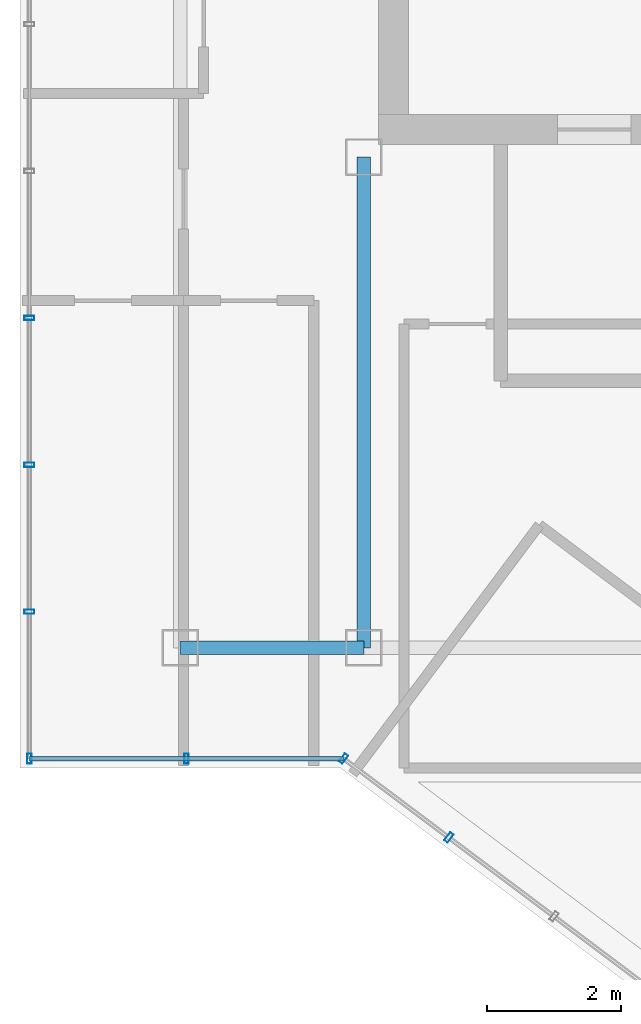
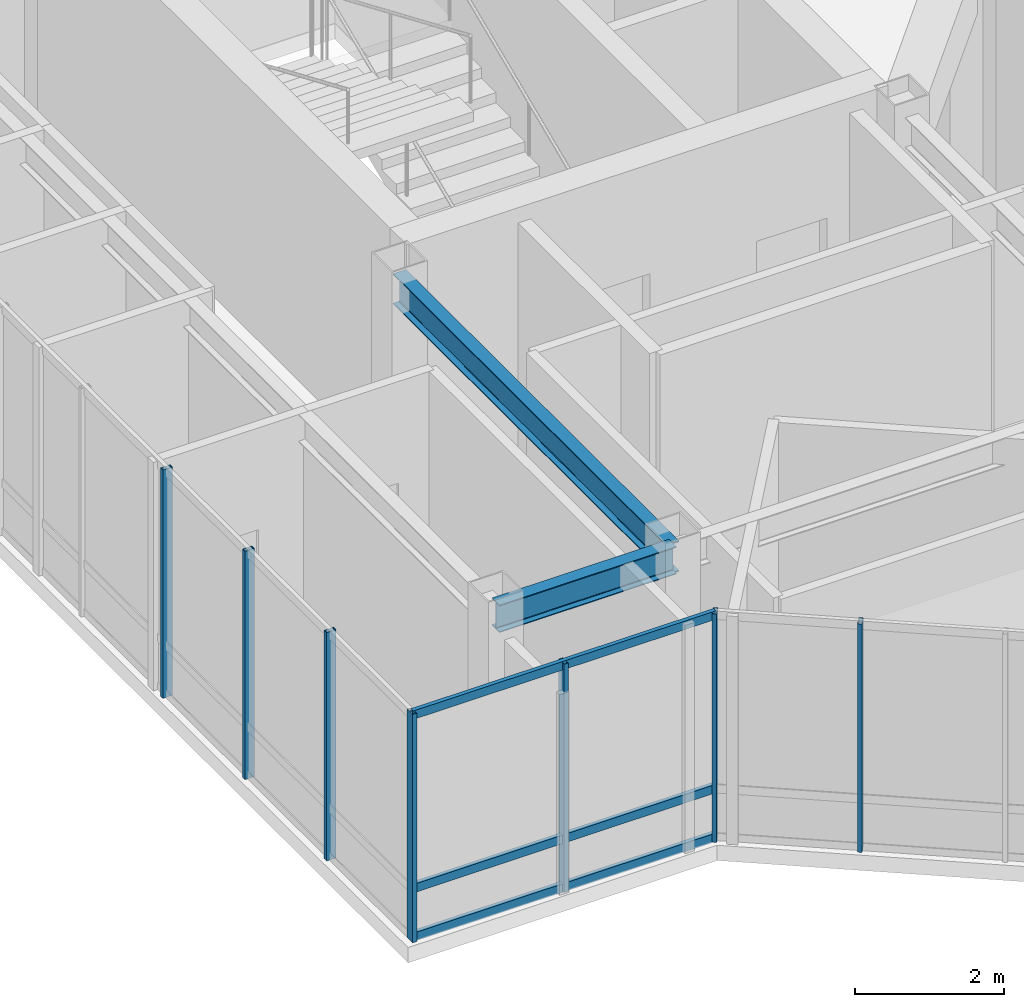
# One storey, part 3 of 23: 10 members, 2 beams, 3 elements without a shape of their own.
"""IFC4 building model written with IfcOpenShell, lengths in metres."""

import ifcopenshell
import ifcopenshell.guid

model = None  # the IFC model being written
_history = None  # IfcOwnerHistory: only IFC2X3 demands one
_inside = {}  # id of a spatial element -> (the spatial element, [elements in it])
_under = {}  # id of a project, library or spatial element -> (it, [spatial elements below it])
_declared = {}  # id of a project -> (the project, [libraries it declares])
_typed = {}  # id of a type object -> (the type object, [elements of that type])
_made_of = {}  # id of a material, layer set ... -> (it, [elements and type objects made of it])


def new_model(schema):
    """Start an empty IFC model of exactly this schema.

    Asked for "IFC4X3", IfcOpenShell would pick the latest addendum, in which some entities
    have other attributes; the version numbers below select the first issue.
    IFC2X3 requires an IfcOwnerHistory on every rooted entity: one is made here for all.
    """
    global model, _history
    if schema == "IFC4X3":
        model = ifcopenshell.file(schema_version=(4, 3, 0, 0))
    else:
        model = ifcopenshell.file(schema=schema)
    _inside.clear()
    _under.clear()
    _declared.clear()
    _typed.clear()
    _made_of.clear()
    _history = None
    if model.schema == "IFC2X3":
        org = make("IfcOrganization", Name="unknown")
        user = make(
            "IfcPersonAndOrganization",
            ThePerson=make("IfcPerson", FamilyName="unknown"),
            TheOrganization=org,
        )
        app = make(
            "IfcApplication",
            ApplicationDeveloper=org,
            Version="unknown",
            ApplicationFullName="unknown",
            ApplicationIdentifier="unknown",
        )
        _history = make(
            "IfcOwnerHistory",
            OwningUser=user,
            OwningApplication=app,
            ChangeAction="ADDED",
            CreationDate=0,
        )
    return model


def make(cls, **values):
    """One entity of the class cls with the attributes given. An attribute that is None is left unset."""
    return model.create_entity(
        cls, **{name: value for name, value in values.items() if value is not None}
    )


def rooted(cls, **values):
    """An entity with a GlobalId (a new one), such as an element, a storey or a relation."""
    return make(cls, GlobalId=ifcopenshell.guid.new(), OwnerHistory=_history, **values)


def si_unit(unit_type, name, prefix=None):
    """IfcSIUnit, for example si_unit("LENGTHUNIT", "METRE", prefix="MILLI")."""
    return make("IfcSIUnit", UnitType=unit_type, Prefix=prefix, Name=name)


def assignment(units):
    """IfcUnitAssignment: the units of a project."""
    return None if units is None else make("IfcUnitAssignment", Units=units)


def point(xyz):
    """IfcCartesianPoint."""
    return None if xyz is None else make("IfcCartesianPoint", Coordinates=xyz)


def direction(xyz):
    """IfcDirection."""
    return None if xyz is None else make("IfcDirection", DirectionRatios=xyz)


def frame(location, z_axis=None, x_axis=None):
    """IfcAxis2Placement3D, a coordinate frame: its origin and axes. An axis left out is left unset."""
    return make(
        "IfcAxis2Placement3D",
        Location=point(location),
        Axis=direction(z_axis),
        RefDirection=direction(x_axis),
    )


def frame_2d(location, x_axis=None):
    """IfcAxis2Placement2D, a coordinate frame in the plane: its origin and x axis."""
    return make(
        "IfcAxis2Placement2D", Location=point(location), RefDirection=direction(x_axis)
    )


def origin():
    """The frame at (0, 0, 0) with its axes left unset."""
    return frame((0.0, 0.0, 0.0))


def origin_2d():
    """The frame at (0, 0) in the plane with its x axis left unset."""
    return frame_2d((0.0, 0.0))


def place(relative_to, where):
    """IfcLocalPlacement: puts the frame where relative to a parent placement (None: the world)."""
    return make(
        "IfcLocalPlacement", PlacementRelTo=relative_to, RelativePlacement=where
    )


def context(
    kind, dimensions, precision=None, world=None, true_north=None, identifier=None
):
    """IfcGeometricRepresentationContext, for example the 3D "Model" context."""
    return make(
        "IfcGeometricRepresentationContext",
        ContextIdentifier=identifier,
        ContextType=kind,
        CoordinateSpaceDimension=dimensions,
        Precision=precision,
        WorldCoordinateSystem=world,
        TrueNorth=true_north,
    )


def subcontext(parent, identifier, kind, view, scale=None):
    """IfcGeometricRepresentationSubContext, for example "Body" below "Model"."""
    return make(
        "IfcGeometricRepresentationSubContext",
        ContextIdentifier=identifier,
        ContextType=kind,
        ParentContext=parent,
        TargetScale=scale,
        TargetView=view,
    )


def project(units=None, contexts=None):
    """IfcProject with its units and contexts."""
    return rooted(
        "IfcProject",
        Name="project",
        RepresentationContexts=contexts,
        UnitsInContext=assignment(units),
    )


def spatial(cls, under=None, at=None, **own):
    """A site, building, storey or space (cls), placed at a placement, below another one or the project."""
    s = rooted(cls, ObjectPlacement=at, **own)
    if under is not None:
        _under.setdefault(under.id(), (under, []))[1].append(s)
    return s


def profile(cls, at=None, kind="AREA", **sizes):
    """A parametric profile (cls). Its sizes go by their IFC names, for example OverallWidth=200.0."""
    return make(cls, ProfileType=kind, Position=at, **sizes)


def hollow_rectangle(**sizes):
    """IfcRectangleHollowProfileDef."""
    return profile("IfcRectangleHollowProfileDef", **sizes)


def i_section(**sizes):
    """IfcIShapeProfileDef."""
    return profile("IfcIShapeProfileDef", **sizes)


def extrude(swept, where, along, depth):
    """IfcExtrudedAreaSolid: the profile swept, set in the frame where, extruded along a direction by depth."""
    return make(
        "IfcExtrudedAreaSolid",
        SweptArea=swept,
        Position=where,
        ExtrudedDirection=direction(along),
        Depth=depth,
    )


def shape(context_of_items, identifier, shape_type, items):
    """IfcShapeRepresentation: the items that make up one representation, for example the "Body"."""
    return make(
        "IfcShapeRepresentation",
        ContextOfItems=context_of_items,
        RepresentationIdentifier=identifier,
        RepresentationType=shape_type,
        Items=items,
    )


def material(Name=None, Category=None):
    """IfcMaterial."""
    return make("IfcMaterial", Name=Name, Category=Category)


def layer(
    of_material, thickness, ventilated=None, Name=None, Category=None, Priority=None
):
    """IfcMaterialLayer: one layer of a wall or slab, of a material (None: an air gap)."""
    return make(
        "IfcMaterialLayer",
        Material=of_material,
        LayerThickness=thickness,
        IsVentilated=ventilated,
        Name=Name,
        Category=Category,
        Priority=Priority,
    )


def layer_set(layers, Name=None):
    """IfcMaterialLayerSet."""
    return make("IfcMaterialLayerSet", MaterialLayers=layers, LayerSetName=Name)


def material_profile(
    of_material, cross_section, Name=None, Category=None, Priority=None
):
    """IfcMaterialProfile: a cross section and its material."""
    return make(
        "IfcMaterialProfile",
        Name=Name,
        Material=of_material,
        Profile=cross_section,
        Priority=Priority,
        Category=Category,
    )


def profile_set(profiles, Name=None, composite=None):
    """IfcMaterialProfileSet."""
    return make(
        "IfcMaterialProfileSet",
        Name=Name,
        MaterialProfiles=profiles,
        CompositeProfile=composite,
    )


def made_of(thing, what):
    """Note that an element or type object is made of a material, layer set ...; save() writes the relation."""
    if what is not None:
        _made_of.setdefault(what.id(), (what, []))[1].append(thing)
    return thing


def type_object(cls, material=None, **own):
    """A type object (cls), such as IfcWallType, which elements share."""
    return made_of(rooted(cls, **own), material)


def element(
    cls,
    number,
    at=None,
    inside=None,
    cuts=None,
    type_object=None,
    material=None,
    context=None,
    identifier="Body",
    shape_type=None,
    held_by="IfcProductDefinitionShape",
    body=None,
    shapes=None,
    **own,
):
    """One element of the class cls, such as IfcWall. Its Tag is "e" and its number.

    at: its placement. inside: the storey or other place that contains it. cuts: it is an
    opening in that element (IfcRelVoidsElement). A single representation is given by context,
    identifier, shape_type and body (its items); several are given by shapes. held_by: the class
    of the entity that holds the representations. save() writes the other relations.
    """
    e = rooted(cls, Tag="e%d" % number, ObjectPlacement=at, **own)
    if body is not None:
        shapes = [shape(context, identifier, shape_type, body)]
    if shapes is not None:
        e.Representation = make(held_by, Representations=shapes)
    if inside is not None:
        _inside.setdefault(inside.id(), (inside, []))[1].append(e)
    if cuts is not None:
        rooted(
            "IfcRelVoidsElement", RelatingBuildingElement=cuts, RelatedOpeningElement=e
        )
    if type_object is not None:
        _typed.setdefault(type_object.id(), (type_object, []))[1].append(e)
    return made_of(e, material)


def aggregate(whole, parts):
    """IfcRelAggregates: a whole, such as a stair, and the parts it consists of."""
    return rooted("IfcRelAggregates", RelatingObject=whole, RelatedObjects=parts)


def save(model, path):
    """Write the relations noted so far, then the file.

    IfcRelAggregates (storeys below a building ...), IfcRelContainedInSpatialStructure (elements
    in a storey), IfcRelDefinesByType, IfcRelAssociatesMaterial and IfcRelDeclares: one each for
    every whole, place, type object, material and project.
    """
    for whole, parts in _under.values():
        aggregate(whole, parts)
    for where, things in _inside.values():
        rooted(
            "IfcRelContainedInSpatialStructure",
            RelatedElements=things,
            RelatingStructure=where,
        )
    for kind, things in _typed.values():
        rooted("IfcRelDefinesByType", RelatedObjects=things, RelatingType=kind)
    for what, things in _made_of.values():
        rooted("IfcRelAssociatesMaterial", RelatedObjects=things, RelatingMaterial=what)
    for by, libraries in _declared.values():
        rooted("IfcRelDeclares", RelatingContext=by, RelatedDefinitions=libraries)
    model.write(path)


model = new_model("IFC4")

# Units and contexts
model_context = context("Model", 3, precision=1e-05, world=origin(), true_north=direction((0.0, 1.0)))
body_context = subcontext(model_context, "Body", "Model", "MODEL_VIEW")
ifc_project = project(units=[si_unit("LENGTHUNIT", "METRE"), si_unit("AREAUNIT", "SQUARE_METRE"), si_unit("VOLUMEUNIT", "CUBIC_METRE"), si_unit("PLANEANGLEUNIT", "RADIAN"), si_unit("MASSUNIT", "GRAM", prefix="KILO")], contexts=[model_context])

# Site, building, storey
site_placement = place(None, origin())
site = spatial("IfcSite", under=ifc_project, at=site_placement, CompositionType="ELEMENT")
building_placement = place(site_placement, origin())
building = spatial("IfcBuilding", under=site, at=building_placement, Name="Hatsunagi Terrace Concourse", CompositionType="ELEMENT")
storey_placement = place(building_placement, frame((0.0, 0.0, 281.949951171875)))
storey = spatial("IfcBuildingStorey", under=building, at=storey_placement, Name="L74", CompositionType="ELEMENT", Elevation=281.949951171875)

# Beam
ifc_material_1 = material(Name="Steel SN490B", Category="steel")
ifc_material_profile_1 = material_profile(ifc_material_1, i_section(OverallWidth=0.199951171875, OverallDepth=0.5, WebThickness=0.010009765625, FlangeThickness=0.01611328125, FilletRadius=0.01611328125, at=origin_2d()), Name="H-500x200x10x16")
ifc_profile_set_1 = profile_set([ifc_material_profile_1], Name="Steel SN490B")
beam_type_1 = type_object("IfcBeamType", Name="CrownFloorGirder_H_500x200", PredefinedType="BEAM", material=ifc_profile_set_1)
beam_1_placement = place(storey_placement, frame((25.550048828125, 25.199951171875, 3.5), z_axis=(0.0, 1.0, 0.0), x_axis=(-1.0, 0.0, 0.0)))
element("IfcBeam", 1, at=beam_1_placement, inside=storey, type_object=beam_type_1, Name="Beam G-07 BM-L74-K1CA", PredefinedType="BEAM", context=body_context, shape_type="SweptSolid", body=[
    extrude(i_section(OverallWidth=0.199951171875, OverallDepth=0.5, WebThickness=0.010009765625, FlangeThickness=0.01611328125, FilletRadius=0.01611328125, at=origin_2d()), origin(), (0.0, 0.0, 1.0), 7.35009765625),
])

# Curtain wall, members
ifc_material_2 = material(Name="Anodised Aluminium Alloy 6063-T5", Category="aluminium")
ifc_layer = layer(ifc_material_2, 0.199951171875)
ifc_layer_set = layer_set([ifc_layer], Name="CrownWintergarden_CW06")
curtain_wall_type = type_object("IfcCurtainWallType", Name="CrownWintergarden_CW06", PredefinedType="NOTDEFINED", material=ifc_layer_set)
curtain_wall_1_placement = place(storey_placement, origin())
curtain_wall_1 = element("IfcCurtainWall", 2, at=curtain_wall_1_placement, inside=storey, type_object=curtain_wall_type, Name="Unitised Curtain Wall CW-06 CW-L74-05", PredefinedType="NOTDEFINED")
ifc_material_3 = material(Name="Anodised Aluminium Alloy 6063-T5", Category="aluminium")
ifc_material_profile_2 = material_profile(ifc_material_3, hollow_rectangle(XDim=0.06494140625, YDim=0.14990234375, WallThickness=0.00390625, at=origin_2d()), Name="ALU-MUL-150x65x4")
ifc_profile_set_2 = profile_set([ifc_material_profile_2], Name="Anodised Aluminium Alloy 6063-T5")
member_type_1 = type_object("IfcMemberType", Name="CurtainWallMullion_Crown_150x65", PredefinedType="MULLION", material=ifc_profile_set_2)
member_1_placement = place(storey_placement, frame((26.822998046875, 22.35791015625, 0.0), z_axis=(0.0, 0.0, 1.0), x_axis=(-0.80000835285, 0.599988862705, 0.0)))
member_1 = element("IfcMember", 3, at=member_1_placement, type_object=member_type_1, Name="Curtain Wall Mullion MUL-03", PredefinedType="MULLION", context=body_context, shape_type="SweptSolid", body=[
    extrude(hollow_rectangle(XDim=0.06494140625, YDim=0.14990234375, WallThickness=0.00390625, at=origin_2d()), origin(), (0.0, 0.0, 1.0), 3.75),
])
member_2_placement = place(storey_placement, frame((25.2470703125, 23.5400390625, 0.0), z_axis=(0.0, 0.0, 1.0), x_axis=(-0.80000835285, 0.599988862705, 0.0)))
member_2 = element("IfcMember", 4, at=member_2_placement, type_object=member_type_1, Name="Curtain Wall Mullion MUL-03", PredefinedType="MULLION", context=body_context, shape_type="SweptSolid", body=[
    extrude(hollow_rectangle(XDim=0.06494140625, YDim=0.14990234375, WallThickness=0.00390625, at=origin_2d()), origin(), (0.0, 0.0, 1.0), 3.75),
])
aggregate(curtain_wall_1, [member_1, member_2])

curtain_wall_2_placement = place(storey_placement, origin())
curtain_wall_2 = element("IfcCurtainWall", 5, at=curtain_wall_2_placement, inside=storey, type_object=curtain_wall_type, Name="Unitised Curtain Wall CW-06 CW-L74-06", PredefinedType="NOTDEFINED")
member_3_placement = place(storey_placement, frame((22.89306640625, 23.5400390625, 0.0), z_axis=(0.0, 0.0, 1.0), x_axis=(-1.0, 0.0, 0.0)))
member_3 = element("IfcMember", 6, at=member_3_placement, type_object=member_type_1, Name="Curtain Wall Mullion MUL-03", PredefinedType="MULLION", context=body_context, shape_type="SweptSolid", body=[
    extrude(hollow_rectangle(XDim=0.06494140625, YDim=0.14990234375, WallThickness=0.00390625, at=origin_2d()), origin(), (0.0, 0.0, 1.0), 3.75),
])
member_4_placement = place(storey_placement, frame((20.5400390625, 23.5400390625, 0.0), z_axis=(0.0, 0.0, 1.0), x_axis=(-1.0, 0.0, 0.0)))
member_4 = element("IfcMember", 7, at=member_4_placement, type_object=member_type_1, Name="Curtain Wall Mullion MUL-03", PredefinedType="MULLION", context=body_context, shape_type="SweptSolid", body=[
    extrude(hollow_rectangle(XDim=0.06494140625, YDim=0.14990234375, WallThickness=0.00390625, at=origin_2d()), origin(), (0.0, 0.0, 1.0), 3.75),
])

curtain_wall_3_placement = place(storey_placement, origin())
curtain_wall_3 = element("IfcCurtainWall", 8, at=curtain_wall_3_placement, inside=storey, type_object=curtain_wall_type, Name="Unitised Curtain Wall CW-06 CW-L74-07", PredefinedType="NOTDEFINED")
member_5_placement = place(storey_placement, frame((20.5400390625, 25.739990234375, 0.0), z_axis=(0.0, 0.0, 1.0), x_axis=(0.0, 1.0, 0.0)))
member_5 = element("IfcMember", 9, at=member_5_placement, type_object=member_type_1, Name="Curtain Wall Mullion MUL-03", PredefinedType="MULLION", context=body_context, shape_type="SweptSolid", body=[
    extrude(hollow_rectangle(XDim=0.06494140625, YDim=0.14990234375, WallThickness=0.00390625, at=origin_2d()), origin(), (0.0, 0.0, 1.0), 3.75),
])
member_6_placement = place(storey_placement, frame((20.5400390625, 27.93994140625, 0.0), z_axis=(0.0, 0.0, 1.0), x_axis=(0.0, 1.0, 0.0)))
member_6 = element("IfcMember", 10, at=member_6_placement, type_object=member_type_1, Name="Curtain Wall Mullion MUL-03", PredefinedType="MULLION", context=body_context, shape_type="SweptSolid", body=[
    extrude(hollow_rectangle(XDim=0.06494140625, YDim=0.14990234375, WallThickness=0.00390625, at=origin_2d()), origin(), (0.0, 0.0, 1.0), 3.75),
])
member_7_placement = place(storey_placement, frame((20.5400390625, 30.14111328125, 0.0), z_axis=(0.0, 0.0, 1.0), x_axis=(0.0, 1.0, 0.0)))
member_7 = element("IfcMember", 11, at=member_7_placement, type_object=member_type_1, Name="Curtain Wall Mullion MUL-03", PredefinedType="MULLION", context=body_context, shape_type="SweptSolid", body=[
    extrude(hollow_rectangle(XDim=0.06494140625, YDim=0.14990234375, WallThickness=0.00390625, at=origin_2d()), origin(), (0.0, 0.0, 1.0), 3.75),
])
aggregate(curtain_wall_3, [member_5, member_6, member_7])

# Member
ifc_material_4 = material(Name="Anodised Aluminium Alloy 6063-T5", Category="aluminium")
ifc_material_profile_3 = material_profile(ifc_material_4, hollow_rectangle(XDim=0.06494140625, YDim=0.139892578125, WallThickness=0.00390625, at=origin_2d()), Name="ALU-TRN-140x65x4")
ifc_profile_set_3 = profile_set([ifc_material_profile_3], Name="Anodised Aluminium Alloy 6063-T5")
member_type_2 = type_object("IfcMemberType", Name="CurtainWallTransom_140x65", PredefinedType="USERDEFINED", material=ifc_profile_set_3)
member_8_placement = place(storey_placement, frame((25.2470703125, 23.5400390625, 0.050048828125), z_axis=(-1.0, 0.0, 0.0), x_axis=(0.0, -1.0, 0.0)))
member_8 = element("IfcMember", 12, at=member_8_placement, type_object=member_type_2, Name="Curtain Wall Transom TRN-02", ObjectType="TRANSOM", PredefinedType="USERDEFINED", context=body_context, shape_type="SweptSolid", body=[
    extrude(hollow_rectangle(XDim=0.06494140625, YDim=0.139892578125, WallThickness=0.00390625, at=origin_2d()), origin(), (0.0, 0.0, 1.0), 4.70703125),
])

member_9_placement = place(storey_placement, frame((25.2470703125, 23.5400390625, 0.85009765625), z_axis=(-1.0, 0.0, 0.0), x_axis=(0.0, -1.0, 0.0)))
member_9 = element("IfcMember", 13, at=member_9_placement, type_object=member_type_2, Name="Curtain Wall Transom TRN-02", ObjectType="TRANSOM", PredefinedType="USERDEFINED", context=body_context, shape_type="SweptSolid", body=[
    extrude(hollow_rectangle(XDim=0.06494140625, YDim=0.139892578125, WallThickness=0.00390625, at=origin_2d()), origin(), (0.0, 0.0, 1.0), 4.70703125),
])

member_10_placement = place(storey_placement, frame((25.2470703125, 23.5400390625, 3.699951171875), z_axis=(-1.0, 0.0, 0.0), x_axis=(0.0, -1.0, 0.0)))
member_10 = element("IfcMember", 14, at=member_10_placement, type_object=member_type_2, Name="Curtain Wall Transom TRN-02", ObjectType="TRANSOM", PredefinedType="USERDEFINED", context=body_context, shape_type="SweptSolid", body=[
    extrude(hollow_rectangle(XDim=0.06494140625, YDim=0.139892578125, WallThickness=0.00390625, at=origin_2d()), origin(), (0.0, 0.0, 1.0), 4.70703125),
])

aggregate(curtain_wall_2, [member_3, member_4, member_8, member_9, member_10])

# Beam
ifc_material_5 = material(Name="Steel SN490B", Category="steel")
ifc_material_profile_4 = material_profile(ifc_material_5, i_section(OverallWidth=0.199951171875, OverallDepth=0.449951171875, WebThickness=0.009033203125, FlangeThickness=0.013916015625, FilletRadius=0.01611328125, at=origin_2d()), Name="H-450x200x9x14")
ifc_profile_set_4 = profile_set([ifc_material_profile_4], Name="Steel SN490B")
beam_type_2 = type_object("IfcBeamType", Name="PerimeterSpandrel_H_450x200", PredefinedType="SPANDREL", material=ifc_profile_set_4)
beam_2_placement = place(storey_placement, frame((22.800048828125, 25.199951171875, 3.525146484375), z_axis=(1.0, 0.0, 0.0), x_axis=(0.0, 1.0, 0.0)))
element("IfcBeam", 15, at=beam_2_placement, inside=storey, type_object=beam_type_2, Name="Beam SP-02 BM-L74-WS-22", PredefinedType="SPANDREL", context=body_context, shape_type="SweptSolid", body=[
    extrude(i_section(OverallWidth=0.199951171875, OverallDepth=0.449951171875, WebThickness=0.009033203125, FlangeThickness=0.013916015625, FilletRadius=0.01611328125, at=origin_2d()), origin(), (0.0, 0.0, 1.0), 2.75),
])

save(model, "model.ifc")
